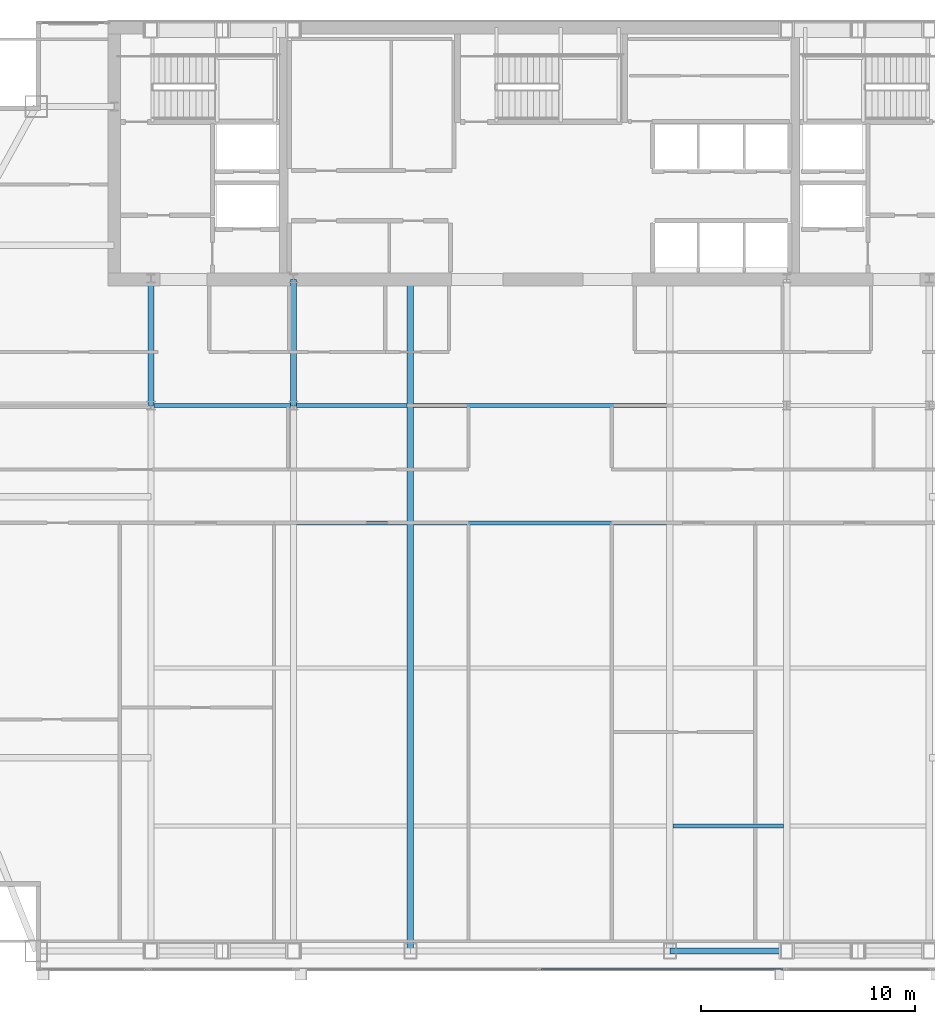
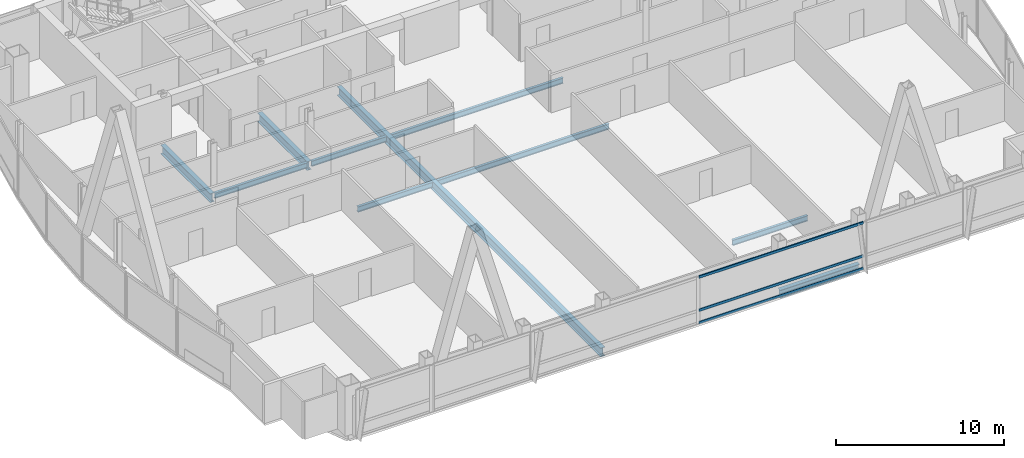
# One storey, part 13 of 31: 10 beams, 3 members, 1 element without a shape of its own.
"""IFC4 building model written with IfcOpenShell, lengths in metres."""

from ifc_helpers import new_model, si_unit, direction, frame, origin, origin_2d, place, context, subcontext, project, spatial, hollow_rectangle, i_section, extrude, material, material_profile, profile_set, type_object, element, aggregate, save


model = new_model("IFC4")

# Units and contexts
model_context = context("Model", 3, precision=1e-05, world=origin(), true_north=direction((0.0, 1.0)))
body_context = subcontext(model_context, "Body", "Model", "MODEL_VIEW")
ifc_project = project(units=[si_unit("LENGTHUNIT", "METRE"), si_unit("AREAUNIT", "SQUARE_METRE"), si_unit("VOLUMEUNIT", "CUBIC_METRE"), si_unit("PLANEANGLEUNIT", "RADIAN"), si_unit("MASSUNIT", "GRAM", prefix="KILO")], contexts=[model_context])

# Site, building, storey
site_placement = place(None, origin())
site = spatial("IfcSite", under=ifc_project, at=site_placement, CompositionType="ELEMENT")
building_placement = place(site_placement, origin())
building = spatial("IfcBuilding", under=site, at=building_placement, Name="Khoronbel Lancet Exchange", CompositionType="ELEMENT")
storey_placement = place(building_placement, frame((0.0, 0.0, 261.800048828125)))
storey = spatial("IfcBuildingStorey", under=building, at=storey_placement, Name="L67", CompositionType="ELEMENT", Elevation=261.800048828125)

# Beams
ifc_material_1 = material(Name="Steel S355", Category="steel")
ifc_material_profile_1 = material_profile(ifc_material_1, i_section(OverallWidth=0.300048828125, OverallDepth=0.64990234375, WebThickness=0.01611328125, FlangeThickness=0.031005859375, at=origin_2d()), Name="HEB 650")
ifc_profile_set_1 = profile_set([ifc_material_profile_1], Name="Steel S355")
beam_type_1 = type_object("IfcBeamType", Name="BM-BG4", PredefinedType="BEAM", material=ifc_profile_set_1)
for number, where, z_axis, x_axis, name in (
    (1, (18.22509765625, 35.699951171875, -0.485107421875), (0.0, 1.0, 0.0), (-1.0, 0.0, 0.0), "Level L67 spine tie girder GN1"),
    (2, (24.89990234375, 35.699951171875, -0.485107421875), (0.0, 1.0, 0.0), (-1.0, 0.0, 0.0), "Level L67 spine tie girder GN2"),
):
    element("IfcBeam", number, at=place(storey_placement, frame(where, z_axis=z_axis, x_axis=x_axis)), inside=storey, type_object=beam_type_1, Name=name, PredefinedType="BEAM", context=body_context, shape_type="SweptSolid", body=[
        extrude(i_section(OverallWidth=0.300048828125, OverallDepth=0.64990234375, WebThickness=0.01611328125, FlangeThickness=0.031005859375, at=origin_2d()), origin(), (0.0, 0.0, 1.0), 5.900146484375),
    ])
beam_1_placement = place(storey_placement, frame((30.375, 10.14990234375, -0.485107421875), z_axis=(0.0, 1.0, 0.0), x_axis=(-1.0, 0.0, 0.0)))
element("IfcBeam", 3, at=beam_1_placement, inside=storey, type_object=beam_type_1, Name="Level L67 primary floor girder G3", PredefinedType="BEAM", context=body_context, shape_type="SweptSolid", body=[
    extrude(i_section(OverallWidth=0.300048828125, OverallDepth=0.64990234375, WebThickness=0.01611328125, FlangeThickness=0.031005859375, at=origin_2d()), origin(), (0.0, 0.0, 1.0), 31.4501953125),
])
ifc_material_profile_2 = material_profile(ifc_material_1, i_section(OverallWidth=0.179931640625, OverallDepth=0.39990234375, WebThickness=0.008544921875, FlangeThickness=0.013427734375, at=origin_2d()), Name="IPE 400")
ifc_profile_set_2 = profile_set([ifc_material_profile_2], Name="Steel S355")
beam_type_2 = type_object("IfcBeamType", Name="BM-BJ5", PredefinedType="JOIST", material=ifc_profile_set_2)
for number, where, z_axis, x_axis, name in (
    (4, (42.675048828125, 16.0, -0.360107421875), (1.0, 0.0, 0.0), (0.0, 1.0, 0.0), "Level L67 secondary composite joist J04"),
    (5, (25.050048828125, 30.199951171875, -0.360107421875), (1.0, 0.0, 0.0), (0.0, 1.0, 0.0), "Level L67 secondary composite joist J12"),
):
    element("IfcBeam", number, at=place(storey_placement, frame(where, z_axis=z_axis, x_axis=x_axis)), inside=storey, type_object=beam_type_2, Name=name, PredefinedType="JOIST", context=body_context, shape_type="SweptSolid", body=[
        extrude(i_section(OverallWidth=0.179931640625, OverallDepth=0.39990234375, WebThickness=0.008544921875, FlangeThickness=0.013427734375, at=origin_2d()), origin(), (0.0, 0.0, 1.0), 5.175048828125),
    ])
beam_2_placement = place(storey_placement, frame((30.52490234375, 30.199951171875, -0.360107421875), z_axis=(1.0, 0.0, 0.0), x_axis=(0.0, 1.0, 0.0)))
element("IfcBeam", 6, at=beam_2_placement, inside=storey, type_object=beam_type_2, Name="Level L67 secondary composite joist J13", PredefinedType="JOIST", context=body_context, shape_type="SweptSolid", body=[
    extrude(i_section(OverallWidth=0.179931640625, OverallDepth=0.39990234375, WebThickness=0.008544921875, FlangeThickness=0.013427734375, at=origin_2d()), origin(), (0.0, 0.0, 1.0), 11.85009765625),
])
beam_3_placement = place(storey_placement, frame((18.375, 35.699951171875, -0.360107421875), z_axis=(1.0, 0.0, 0.0), x_axis=(0.0, 1.0, 0.0)))
element("IfcBeam", 7, at=beam_3_placement, inside=storey, type_object=beam_type_2, Name="Level L67 secondary composite joist J16", PredefinedType="JOIST", context=body_context, shape_type="SweptSolid", body=[
    extrude(i_section(OverallWidth=0.179931640625, OverallDepth=0.39990234375, WebThickness=0.008544921875, FlangeThickness=0.013427734375, at=origin_2d()), origin(), (0.0, 0.0, 1.0), 6.375),
])
beam_4_placement = place(storey_placement, frame((25.050048828125, 35.699951171875, -0.360107421875), z_axis=(1.0, 0.0, 0.0), x_axis=(0.0, 1.0, 0.0)))
element("IfcBeam", 8, at=beam_4_placement, inside=storey, type_object=beam_type_2, Name="Level L67 secondary composite joist J17", PredefinedType="JOIST", context=body_context, shape_type="SweptSolid", body=[
    extrude(i_section(OverallWidth=0.179931640625, OverallDepth=0.39990234375, WebThickness=0.008544921875, FlangeThickness=0.013427734375, at=origin_2d()), origin(), (0.0, 0.0, 1.0), 5.175048828125),
])
beam_5_placement = place(storey_placement, frame((30.52490234375, 35.699951171875, -0.360107421875), z_axis=(1.0, 0.0, 0.0), x_axis=(0.0, 1.0, 0.0)))
element("IfcBeam", 9, at=beam_5_placement, inside=storey, type_object=beam_type_2, Name="Level L67 secondary composite joist J18", PredefinedType="JOIST", context=body_context, shape_type="SweptSolid", body=[
    extrude(i_section(OverallWidth=0.179931640625, OverallDepth=0.39990234375, WebThickness=0.008544921875, FlangeThickness=0.013427734375, at=origin_2d()), origin(), (0.0, 0.0, 1.0), 11.85009765625),
])
ifc_material_profile_3 = material_profile(ifc_material_1, i_section(OverallWidth=0.300048828125, OverallDepth=0.60009765625, WebThickness=0.015380859375, FlangeThickness=0.030029296875, at=origin_2d()), Name="HEB 600")
ifc_profile_set_3 = profile_set([ifc_material_profile_3], Name="Steel S355")
beam_type_3 = type_object("IfcBeamType", Name="BM-BSP2", PredefinedType="SPANDREL", material=ifc_profile_set_3)
beam_6_placement = place(storey_placement, frame((42.52490234375, 10.14990234375, -0.4599609375), z_axis=(1.0, 0.0, 0.0), x_axis=(0.0, 1.0, 0.0)))
element("IfcBeam", 10, at=beam_6_placement, inside=storey, type_object=beam_type_3, Name="Level L67 perimeter spandrel beam SP06", PredefinedType="SPANDREL", context=body_context, shape_type="SweptSolid", body=[
    extrude(i_section(OverallWidth=0.300048828125, OverallDepth=0.60009765625, WebThickness=0.015380859375, FlangeThickness=0.030029296875, at=origin_2d()), origin(), (0.0, 0.0, 1.0), 5.47509765625),
])

# Curtain wall, members
ifc_material_2 = material(Name="Low-E Solar Control Insulating Glass", Category="glass")
curtain_wall_type = type_object("IfcCurtainWallType", Name="CW-3", PredefinedType="NOTDEFINED", material=ifc_material_2)
curtain_wall_placement = place(storey_placement, origin())
curtain_wall = element("IfcCurtainWall", 11, at=curtain_wall_placement, inside=storey, type_object=curtain_wall_type, Name="Unitised curtain wall CW-L67-SCV", PredefinedType="NOTDEFINED")
ifc_material_3 = material(Name="Bronze-Anodised Aluminium 6063-T6", Category="aluminium")
ifc_material_profile_4 = material_profile(ifc_material_3, hollow_rectangle(XDim=0.0849609375, YDim=0.179931640625, WallThickness=0.0048828125, at=origin_2d()), Name="ALU TRANSOM 85x180")
ifc_profile_set_4 = profile_set([ifc_material_profile_4], Name="Bronze-Anodised Aluminium 6063-T6")
member_type = type_object("IfcMemberType", Name="MEM-CWT1", PredefinedType="USERDEFINED", material=ifc_profile_set_4)
member_1_placement = place(storey_placement, frame((36.492431640625, 9.2900390625, 0.04248046875), z_axis=(1.0, 0.0, 0.0), x_axis=(0.0, 1.0, 0.0)))
member_1 = element("IfcMember", 12, at=member_1_placement, type_object=member_type, Name="CW3 transom 2.1", ObjectType="TRANSOM", PredefinedType="USERDEFINED", context=body_context, shape_type="SweptSolid", body=[
    extrude(hollow_rectangle(XDim=0.0849609375, YDim=0.179931640625, WallThickness=0.0048828125, at=origin_2d()), origin(), (0.0, 0.0, 1.0), 11.322509765625),
])
member_2_placement = place(storey_placement, frame((36.492431640625, 9.2900390625, 0.949951171875), z_axis=(1.0, 0.0, 0.0), x_axis=(0.0, 1.0, 0.0)))
member_2 = element("IfcMember", 13, at=member_2_placement, type_object=member_type, Name="CW3 transom 2.2", ObjectType="TRANSOM", PredefinedType="USERDEFINED", context=body_context, shape_type="SweptSolid", body=[
    extrude(hollow_rectangle(XDim=0.0849609375, YDim=0.179931640625, WallThickness=0.0048828125, at=origin_2d()), origin(), (0.0, 0.0, 1.0), 11.322509765625),
])
member_3_placement = place(storey_placement, frame((36.492431640625, 9.2900390625, 3.357421875), z_axis=(1.0, 0.0, 0.0), x_axis=(0.0, 1.0, 0.0)))
member_3 = element("IfcMember", 14, at=member_3_placement, type_object=member_type, Name="CW3 transom 2.3", ObjectType="TRANSOM", PredefinedType="USERDEFINED", context=body_context, shape_type="SweptSolid", body=[
    extrude(hollow_rectangle(XDim=0.0849609375, YDim=0.179931640625, WallThickness=0.0048828125, at=origin_2d()), origin(), (0.0, 0.0, 1.0), 11.322509765625),
])
aggregate(curtain_wall, [member_1, member_2, member_3])

save(model, "model.ifc")
